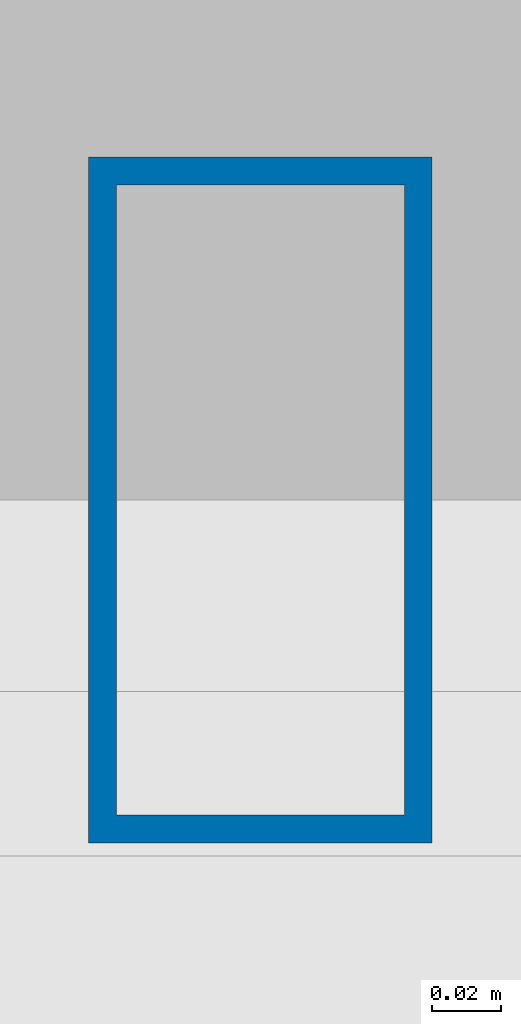
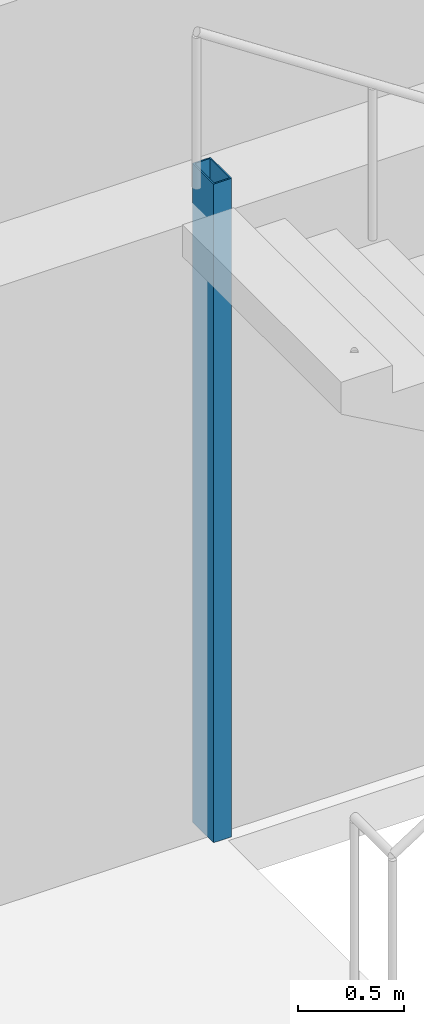
# One storey, part 2 of 17: 1 column.
"""IFC4 building model written with IfcOpenShell, lengths in metres."""

from ifc_helpers import new_model, si_unit, direction, frame, origin, origin_2d, place, context, subcontext, project, spatial, hollow_rectangle, extrude, material, material_profile, profile_set, type_object, element, save


model = new_model("IFC4")

# Units and contexts
model_context = context("Model", 3, precision=1e-05, world=origin(), true_north=direction((0.0, 1.0)))
body_context = subcontext(model_context, "Body", "Model", "MODEL_VIEW")
ifc_project = project(units=[si_unit("LENGTHUNIT", "METRE"), si_unit("AREAUNIT", "SQUARE_METRE"), si_unit("VOLUMEUNIT", "CUBIC_METRE"), si_unit("PLANEANGLEUNIT", "RADIAN"), si_unit("MASSUNIT", "GRAM", prefix="KILO")], contexts=[model_context])

# Site, building, storey
site_placement = place(None, origin())
site = spatial("IfcSite", under=ifc_project, at=site_placement, CompositionType="ELEMENT")
building_placement = place(site_placement, origin())
building = spatial("IfcBuilding", under=site, at=building_placement, Name="Menara Jurai Vektor", CompositionType="ELEMENT")
storey_placement = place(building_placement, frame((0.0, 0.0, 56.0)))
storey = spatial("IfcBuildingStorey", under=building, at=storey_placement, Name="L13", CompositionType="ELEMENT", Elevation=56.0)

# Column
ifc_material = material(Name="Steel S355", Category="steel")
ifc_material_profile = material_profile(ifc_material, hollow_rectangle(XDim=0.10009765625, YDim=0.199951171875, WallThickness=0.008056640625, at=origin_2d()), Name="RHS 200x100x8")
ifc_profile_set = profile_set([ifc_material_profile], Name="Steel S355")
column_type = type_object("IfcColumnType", Name="STR-COL-STAIR", PredefinedType="COLUMN", material=ifc_profile_set)
column_placement = place(storey_placement, frame((-11.1201171875, 5.419921875, 0.0), z_axis=(0.0, 0.0, 1.0), x_axis=(1.0, 0.0, 0.0)))
element("IfcColumn", 1, at=column_placement, inside=storey, type_object=column_type, Name="Stair Well Header Column ST1-P2 L13", PredefinedType="COLUMN", context=body_context, shape_type="SweptSolid", body=[
    extrude(hollow_rectangle(XDim=0.10009765625, YDim=0.199951171875, WallThickness=0.008056640625, at=origin_2d()), origin(), (0.0, 0.0, 1.0), 3.800048828125),
])

save(model, "model.ifc")
